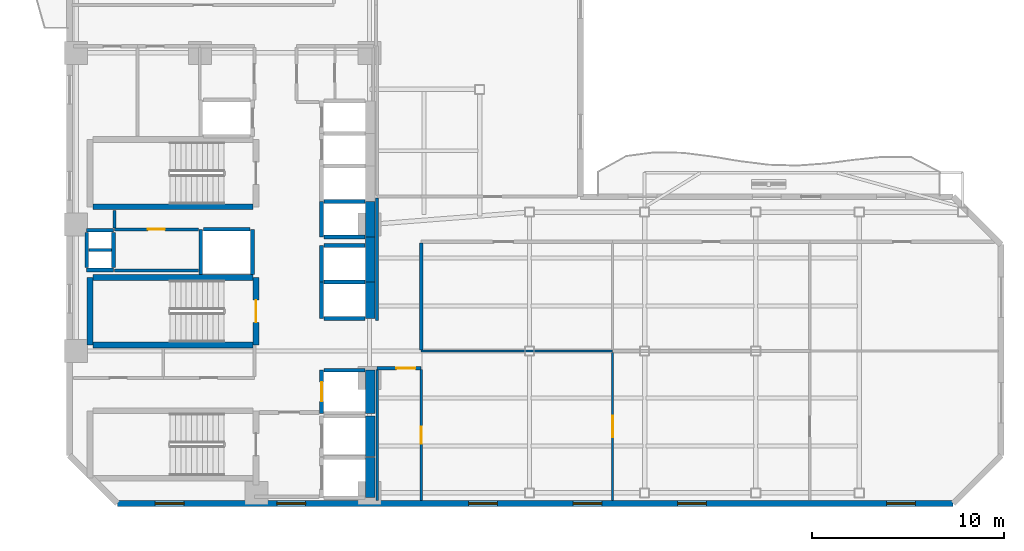
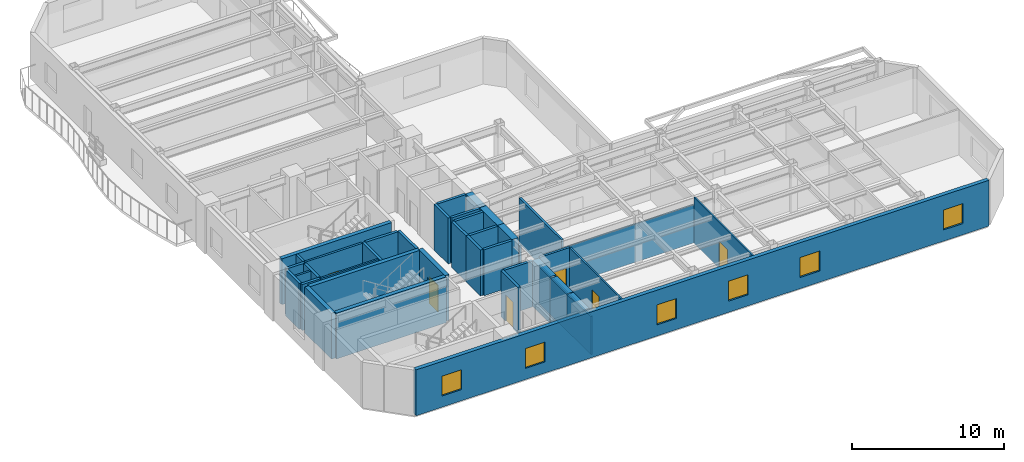
# One storey, part 3 of 9: 40 walls, 6 doors, 6 windows, 12 openings.
"""IFC4 building model written with IfcOpenShell, lengths in metres."""

from ifc_helpers import new_model, si_unit, direction, frame, frame_2d, origin, place, context, subcontext, project, spatial, rectangle, extrude, material, layer, layer_set, type_object, element, fill, save


model = new_model("IFC4")

# Units and contexts
model_context = context("Model", 3, precision=1e-05, world=origin(), true_north=direction((0.0, 1.0)))
body_context = subcontext(model_context, "Body", "Model", "MODEL_VIEW")
ifc_project = project(units=[si_unit("LENGTHUNIT", "METRE"), si_unit("AREAUNIT", "SQUARE_METRE"), si_unit("VOLUMEUNIT", "CUBIC_METRE"), si_unit("PLANEANGLEUNIT", "RADIAN"), si_unit("MASSUNIT", "GRAM", prefix="KILO")], contexts=[model_context])

# Site, building, storey
site_placement = place(None, origin())
site = spatial("IfcSite", under=ifc_project, at=site_placement, CompositionType="ELEMENT")
building_placement = place(site_placement, origin())
building = spatial("IfcBuilding", under=site, at=building_placement, Name="Mawjaban Terraces University", CompositionType="ELEMENT")
storey_placement = place(building_placement, frame((0.0, 0.0, 107.300048828125)))
storey = spatial("IfcBuildingStorey", under=building, at=storey_placement, Name="L25", CompositionType="ELEMENT", Elevation=107.300048828125)

# Walls
ifc_material_1 = material(Name="Concrete C60/75", Category="concrete")
ifc_layer_1 = layer(ifc_material_1, 0.5)
ifc_layer_set_1 = layer_set([ifc_layer_1], Name="Concrete C60/75")
wall_type_1 = type_object("IfcWallType", Name="CoreShearWall_500", PredefinedType="SHEAR", material=ifc_layer_set_1)
wall_1_placement = place(storey_placement, frame((37.699951171875, 0.300048828125, 0.0), z_axis=(0.0, 0.0, 1.0), x_axis=(0.0, 1.0, 0.0)))
element("IfcWall", 1, at=wall_1_placement, inside=storey, type_object=wall_type_1, Name="L25 Lift FL-1 Hoistway Wall East", PredefinedType="SHEAR", context=body_context, shape_type="SweptSolid", body=[
    extrude(rectangle(XDim=2.099853515625, YDim=0.5, at=frame_2d((1.0498046875, 0.0))), origin(), (0.0, 0.0, 1.0), 3.68994140625),
])
wall_2_placement = place(storey_placement, frame((37.699951171875, 2.449951171875, 0.0), z_axis=(0.0, 0.0, 1.0), x_axis=(0.0, 1.0, 0.0)))
element("IfcWall", 2, at=wall_2_placement, inside=storey, type_object=wall_type_1, Name="L25 Lift FL-2 Hoistway Wall East", PredefinedType="SHEAR", context=body_context, shape_type="SweptSolid", body=[
    extrude(rectangle(XDim=2.10009765625, YDim=0.5, at=frame_2d((1.050048828125, 0.0))), origin(), (0.0, 0.0, 1.0), 3.68994140625),
])
wall_3_placement = place(storey_placement, frame((37.699951171875, 4.699951171875, 0.0), z_axis=(0.0, 0.0, 1.0), x_axis=(0.0, 1.0, 0.0)))
element("IfcWall", 3, at=wall_3_placement, inside=storey, type_object=wall_type_1, Name="L25 Lift SL-1 Hoistway Wall East", PredefinedType="SHEAR", context=body_context, shape_type="SweptSolid", body=[
    extrude(rectangle(XDim=2.25, YDim=0.5, at=frame_2d((1.125, 0.0))), origin(), (0.0, 0.0, 1.0), 3.68994140625),
])
wall_4_placement = place(storey_placement, frame((37.699951171875, 9.64990234375, 0.0), z_axis=(0.0, 0.0, 1.0), x_axis=(0.0, 1.0, 0.0)))
element("IfcWall", 4, at=wall_4_placement, inside=storey, type_object=wall_type_1, Name="L25 Lift PL-H1 Hoistway Wall East", PredefinedType="SHEAR", context=body_context, shape_type="SweptSolid", body=[
    extrude(rectangle(XDim=1.900146484375, YDim=0.5, at=frame_2d((0.9501953125, 0.0))), origin(), (0.0, 0.0, 1.0), 3.68994140625),
])
wall_5_placement = place(storey_placement, frame((37.699951171875, 11.550048828125, 0.0), z_axis=(0.0, 0.0, 1.0), x_axis=(0.0, 1.0, 0.0)))
element("IfcWall", 5, at=wall_5_placement, inside=storey, type_object=wall_type_1, Name="L25 Lift PL-H2 Hoistway Wall East", PredefinedType="SHEAR", context=body_context, shape_type="SweptSolid", body=[
    extrude(rectangle(XDim=2.349853515625, YDim=0.5, at=frame_2d((1.1748046875, 0.0))), origin(), (0.0, 0.0, 1.0), 3.68994140625),
])
wall_6_placement = place(storey_placement, frame((37.699951171875, 13.89990234375, 0.0), z_axis=(0.0, 0.0, 1.0), x_axis=(0.0, 1.0, 0.0)))
element("IfcWall", 6, at=wall_6_placement, inside=storey, type_object=wall_type_1, Name="L25 Lift OL-1 Hoistway Wall East", PredefinedType="SHEAR", context=body_context, shape_type="SweptSolid", body=[
    extrude(rectangle(XDim=1.85009765625, YDim=0.5, at=frame_2d((0.925048828125, 0.0))), origin(), (0.0, 0.0, 1.0), 3.68994140625),
])

# Wall, opening, door
ifc_material_2 = material(Name="Fire-rated gypsum board on steel stud", Category="steel")
ifc_layer_2 = layer(ifc_material_2, 0.159912109375)
ifc_layer_set_2 = layer_set([ifc_layer_2], Name="Fire-rated gypsum board on steel stud")
wall_type_2 = type_object("IfcWallType", Name="CorridorPartition_160", PredefinedType="PARTITIONING", material=ifc_layer_set_2)
wall_7_placement = place(storey_placement, frame((24.35009765625, 14.300048828125, 0.0), z_axis=(0.0, 0.0, 1.0), x_axis=(1.0, 0.0, 0.0)))
wall_7 = element("IfcWall", 7, at=wall_7_placement, inside=storey, type_object=wall_type_2, Name="L25 Core Riser Access Passage Partition 2", PredefinedType="PARTITIONING", context=body_context, shape_type="SweptSolid", body=[
    extrude(rectangle(XDim=4.369873046875, YDim=0.159912109375, at=frame_2d((2.18505859375, 0.0))), origin(), (0.0, 0.0, 1.0), 3.68994140625),
])
opening_1_placement = place(wall_7_placement, frame((1.7451171875, 0.0, 0.0)))
opening_1 = element("IfcOpeningElement", 8, at=opening_1_placement, cuts=wall_7, Name="Opening ID-088", PredefinedType="OPENING", context=body_context, shape_type="SweptSolid", body=[
    extrude(rectangle(XDim=0.8798828125, YDim=2.10009765625, at=frame_2d((0.43994140625, 1.050048828125))), frame((0.0, 0.08984375, 0.0), z_axis=(0.0, -1.0, 0.0), x_axis=(1.0, 0.0, 0.0)), (0.0, 0.0, 1.0), 0.179931640625),
])
ifc_material_3 = material(Name="Powder-coated steel frame and solid acoustic timber leaf", Category="steel")
door_type_1 = type_object("IfcDoorType", Name="ToiletDoor_880x2100", OperationType="NOTDEFINED", PredefinedType="DOOR", material=ifc_material_3)
door_1_placement = place(opening_1_placement, origin())
door_1 = element("IfcDoor", 9, at=door_1_placement, inside=storey, type_object=door_type_1, Name="L25 Ablution Room Door", OperationType="SINGLE_SWING_RIGHT", OverallHeight=2.10009765625, OverallWidth=0.8798828125, PredefinedType="DOOR", context=body_context, shape_type="SweptSolid", body=[
    extrude(rectangle(XDim=0.8798828125, YDim=2.10009765625, at=frame_2d((0.43994140625, 1.050048828125))), frame((0.0, 0.02490234375, 0.0), z_axis=(0.0, -1.0, 0.0), x_axis=(1.0, 0.0, 0.0)), (0.0, 0.0, 1.0), 0.050048828125),
])
fill(opening_1, door_1)

wall_8_placement = place(storey_placement, frame((38.050048828125, 7.050048828125, 0.0), z_axis=(0.0, 0.0, 1.0), x_axis=(1.0, 0.0, 0.0)))
wall_8 = element("IfcWall", 10, at=wall_8_placement, inside=storey, type_object=wall_type_2, Name="L25 Inner Gallery Link Corridor Partition 16", PredefinedType="PARTITIONING", context=body_context, shape_type="SweptSolid", body=[
    extrude(rectangle(XDim=2.300048828125, YDim=0.159912109375, at=frame_2d((1.14990234375, 0.0))), origin(), (0.0, 0.0, 1.0), 3.68994140625),
])
opening_2_placement = place(wall_8_placement, frame((1.0, 0.0, 0.0)))
opening_2 = element("IfcOpeningElement", 11, at=opening_2_placement, cuts=wall_8, Name="Opening ID-100", PredefinedType="OPENING", context=body_context, shape_type="SweptSolid", body=[
    extrude(rectangle(XDim=1.0, YDim=2.10009765625, at=frame_2d((0.5, 1.050048828125))), frame((0.0, 0.08984375, 0.0), z_axis=(0.0, -1.0, 0.0), x_axis=(1.0, 0.0, 0.0)), (0.0, 0.0, 1.0), 0.179931640625),
])
door_type_2 = type_object("IfcDoorType", Name="ClassroomDoor_1000x2100", OperationType="NOTDEFINED", PredefinedType="DOOR", material=ifc_material_3)
door_2_placement = place(opening_2_placement, origin())
door_2 = element("IfcDoor", 12, at=door_2_placement, inside=storey, type_object=door_type_2, Name="L25 Classroom 1 Door", OperationType="SINGLE_SWING_LEFT", OverallHeight=2.10009765625, OverallWidth=1.0, PredefinedType="DOOR", context=body_context, shape_type="SweptSolid", body=[
    extrude(rectangle(XDim=1.0, YDim=2.10009765625, at=frame_2d((0.5, 1.050048828125))), frame((0.0, 0.02490234375, 0.0), z_axis=(0.0, -1.0, 0.0), x_axis=(1.0, 0.0, 0.0)), (0.0, 0.0, 1.0), 0.050048828125),
])
fill(opening_2, door_2)

# Walls
wall_9_placement = place(storey_placement, frame((24.35009765625, 15.2900390625, 0.0), z_axis=(0.0, 0.0, 1.0), x_axis=(0.0, -1.0, 0.0)))
element("IfcWall", 13, at=wall_9_placement, inside=storey, type_object=wall_type_2, Name="L25 Core Riser Access Passage Partition 25", PredefinedType="PARTITIONING", context=body_context, shape_type="SweptSolid", body=[
    extrude(rectangle(XDim=0.9150390625, YDim=0.159912109375, at=frame_2d((0.45751953125, 0.0))), origin(), (0.0, 0.0, 1.0), 3.68994140625),
])
wall_10_placement = place(storey_placement, frame((38.050048828125, 15.925048828125, 0.0), z_axis=(0.0, 0.0, 1.0), x_axis=(0.0, -1.0, 0.0)))
element("IfcWall", 14, at=wall_10_placement, inside=storey, type_object=wall_type_2, Name="L25 Inner Gallery Link Corridor Partition 40", PredefinedType="PARTITIONING", context=body_context, shape_type="SweptSolid", body=[
    extrude(rectangle(XDim=6.375, YDim=0.159912109375, at=frame_2d((3.1875, 0.0))), origin(), (0.0, 0.0, 1.0), 3.072998046875),
])
wall_11_placement = place(storey_placement, frame((40.35009765625, 8.0, 0.0), z_axis=(0.0, 0.0, 1.0), x_axis=(0.0, 1.0, 0.0)))
element("IfcWall", 15, at=wall_11_placement, inside=storey, type_object=wall_type_2, Name="L25 Inner Gallery Link Corridor Partition 43", PredefinedType="PARTITIONING", context=body_context, shape_type="SweptSolid", body=[
    extrude(rectangle(XDim=5.574951171875, YDim=0.159912109375, at=frame_2d((2.78759765625, 0.0))), origin(), (0.0, 0.0, 1.0), 3.68994140625),
])

# Wall, openings, windows
ifc_material_4 = material(Name="Insulated terracotta rainscreen on concrete backup C40/50", Category="masonry")
ifc_layer_3 = layer(ifc_material_4, 0.300048828125)
ifc_layer_set_3 = layer_set([ifc_layer_3], Name="Insulated terracotta rainscreen on concrete backup C40/50")
wall_type_3 = type_object("IfcWallType", Name="ExtTerracottaWall_300", PredefinedType="SOLIDWALL", material=ifc_layer_set_3)
wall_12_placement = place(storey_placement, frame((24.5, 0.0, 0.0), z_axis=(0.0, 0.0, 1.0), x_axis=(1.0, 0.0, 0.0)))
wall_12 = element("IfcWall", 16, at=wall_12_placement, inside=storey, type_object=wall_type_3, Name="L25 Exterior Terracotta Wall 1", PredefinedType="SOLIDWALL", context=body_context, shape_type="SweptSolid", body=[
    extrude(rectangle(XDim=43.60009765625, YDim=0.300048828125, at=frame_2d((21.800048828125, 0.0))), origin(), (0.0, 0.0, 1.0), 3.68994140625),
])
opening_3_placement = place(wall_12_placement, frame((1.97509765625, 0.0, 0.89990234375)))
opening_3 = element("IfcOpeningElement", 17, at=opening_3_placement, cuts=wall_12, Name="Opening W-02", PredefinedType="OPENING", context=body_context, shape_type="SweptSolid", body=[
    extrude(rectangle(XDim=1.5, YDim=1.60009765625, at=frame_2d((0.75, 0.800048828125))), frame((0.0, 0.159912109375, 0.0), z_axis=(0.0, -1.0, 0.0), x_axis=(1.0, 0.0, 0.0)), (0.0, 0.0, 1.0), 0.320068359375),
])
opening_4_placement = place(wall_12_placement, frame((8.324951171875, 0.0, 0.89990234375)))
opening_4 = element("IfcOpeningElement", 18, at=opening_4_placement, cuts=wall_12, Name="Opening W-02", PredefinedType="OPENING", context=body_context, shape_type="SweptSolid", body=[
    extrude(rectangle(XDim=1.5, YDim=1.60009765625, at=frame_2d((0.75, 0.800048828125))), frame((0.0, 0.159912109375, 0.0), z_axis=(0.0, -1.0, 0.0), x_axis=(1.0, 0.0, 0.0)), (0.0, 0.0, 1.0), 0.320068359375),
])
opening_5_placement = place(wall_12_placement, frame((18.324951171875, 0.0, 0.89990234375)))
opening_5 = element("IfcOpeningElement", 19, at=opening_5_placement, cuts=wall_12, Name="Opening W-02", PredefinedType="OPENING", context=body_context, shape_type="SweptSolid", body=[
    extrude(rectangle(XDim=1.5, YDim=1.60009765625, at=frame_2d((0.75, 0.800048828125))), frame((0.0, 0.159912109375, 0.0), z_axis=(0.0, -1.0, 0.0), x_axis=(1.0, 0.0, 0.0)), (0.0, 0.0, 1.0), 0.320068359375),
])
opening_6_placement = place(wall_12_placement, frame((23.77490234375, 0.0, 0.89990234375)))
opening_6 = element("IfcOpeningElement", 20, at=opening_6_placement, cuts=wall_12, Name="Opening W-02", PredefinedType="OPENING", context=body_context, shape_type="SweptSolid", body=[
    extrude(rectangle(XDim=1.5, YDim=1.60009765625, at=frame_2d((0.75, 0.800048828125))), frame((0.0, 0.159912109375, 0.0), z_axis=(0.0, -1.0, 0.0), x_axis=(1.0, 0.0, 0.0)), (0.0, 0.0, 1.0), 0.320068359375),
])
opening_7_placement = place(wall_12_placement, frame((29.22509765625, 0.0, 0.89990234375)))
opening_7 = element("IfcOpeningElement", 21, at=opening_7_placement, cuts=wall_12, Name="Opening W-02", PredefinedType="OPENING", context=body_context, shape_type="SweptSolid", body=[
    extrude(rectangle(XDim=1.5, YDim=1.60009765625, at=frame_2d((0.75, 0.800048828125))), frame((0.0, 0.159912109375, 0.0), z_axis=(0.0, -1.0, 0.0), x_axis=(1.0, 0.0, 0.0)), (0.0, 0.0, 1.0), 0.320068359375),
])
opening_8_placement = place(wall_12_placement, frame((40.125, 0.0, 0.89990234375)))
opening_8 = element("IfcOpeningElement", 22, at=opening_8_placement, cuts=wall_12, Name="Opening W-02", PredefinedType="OPENING", context=body_context, shape_type="SweptSolid", body=[
    extrude(rectangle(XDim=1.5, YDim=1.60009765625, at=frame_2d((0.75, 0.800048828125))), frame((0.0, 0.159912109375, 0.0), z_axis=(0.0, -1.0, 0.0), x_axis=(1.0, 0.0, 0.0)), (0.0, 0.0, 1.0), 0.320068359375),
])
ifc_material_5 = material(Name="Low-E solar-control double glazing in thermally broken aluminium frame", Category="aluminium")
window_type = type_object("IfcWindowType", Name="Win_1500x1600", PartitioningType="SINGLE_PANEL", PredefinedType="WINDOW", material=ifc_material_5)
window_1_placement = place(opening_3_placement, origin())
window_1 = element("IfcWindow", 23, at=window_1_placement, inside=storey, type_object=window_type, Name="L25 Facade Window 1.1", OverallHeight=1.60009765625, OverallWidth=1.5, PartitioningType="SINGLE_PANEL", PredefinedType="WINDOW", context=body_context, shape_type="SweptSolid", body=[
    extrude(rectangle(XDim=1.5, YDim=1.60009765625, at=frame_2d((0.75, 0.800048828125))), frame((0.0, 0.030029296875, 0.0), z_axis=(0.0, -1.0, 0.0), x_axis=(1.0, 0.0, 0.0)), (0.0, 0.0, 1.0), 0.06005859375),
])
fill(opening_3, window_1)
window_2_placement = place(opening_4_placement, origin())
window_2 = element("IfcWindow", 24, at=window_2_placement, inside=storey, type_object=window_type, Name="L25 Facade Window 1.2", OverallHeight=1.60009765625, OverallWidth=1.5, PartitioningType="SINGLE_PANEL", PredefinedType="WINDOW", context=body_context, shape_type="SweptSolid", body=[
    extrude(rectangle(XDim=1.5, YDim=1.60009765625, at=frame_2d((0.75, 0.800048828125))), frame((0.0, 0.030029296875, 0.0), z_axis=(0.0, -1.0, 0.0), x_axis=(1.0, 0.0, 0.0)), (0.0, 0.0, 1.0), 0.06005859375),
])
fill(opening_4, window_2)
window_3_placement = place(opening_5_placement, origin())
window_3 = element("IfcWindow", 25, at=window_3_placement, inside=storey, type_object=window_type, Name="L25 Facade Window 1.4", OverallHeight=1.60009765625, OverallWidth=1.5, PartitioningType="SINGLE_PANEL", PredefinedType="WINDOW", context=body_context, shape_type="SweptSolid", body=[
    extrude(rectangle(XDim=1.5, YDim=1.60009765625, at=frame_2d((0.75, 0.800048828125))), frame((0.0, 0.030029296875, 0.0), z_axis=(0.0, -1.0, 0.0), x_axis=(1.0, 0.0, 0.0)), (0.0, 0.0, 1.0), 0.06005859375),
])
fill(opening_5, window_3)
window_4_placement = place(opening_6_placement, origin())
window_4 = element("IfcWindow", 26, at=window_4_placement, inside=storey, type_object=window_type, Name="L25 Facade Window 1.5", OverallHeight=1.60009765625, OverallWidth=1.5, PartitioningType="SINGLE_PANEL", PredefinedType="WINDOW", context=body_context, shape_type="SweptSolid", body=[
    extrude(rectangle(XDim=1.5, YDim=1.60009765625, at=frame_2d((0.75, 0.800048828125))), frame((0.0, 0.030029296875, 0.0), z_axis=(0.0, -1.0, 0.0), x_axis=(1.0, 0.0, 0.0)), (0.0, 0.0, 1.0), 0.06005859375),
])
fill(opening_6, window_4)
window_5_placement = place(opening_7_placement, origin())
window_5 = element("IfcWindow", 27, at=window_5_placement, inside=storey, type_object=window_type, Name="L25 Facade Window 1.6", OverallHeight=1.60009765625, OverallWidth=1.5, PartitioningType="SINGLE_PANEL", PredefinedType="WINDOW", context=body_context, shape_type="SweptSolid", body=[
    extrude(rectangle(XDim=1.5, YDim=1.60009765625, at=frame_2d((0.75, 0.800048828125))), frame((0.0, 0.030029296875, 0.0), z_axis=(0.0, -1.0, 0.0), x_axis=(1.0, 0.0, 0.0)), (0.0, 0.0, 1.0), 0.06005859375),
])
fill(opening_7, window_5)
window_6_placement = place(opening_8_placement, origin())
window_6 = element("IfcWindow", 28, at=window_6_placement, inside=storey, type_object=window_type, Name="L25 Facade Window 1.8", OverallHeight=1.60009765625, OverallWidth=1.5, PartitioningType="SINGLE_PANEL", PredefinedType="WINDOW", context=body_context, shape_type="SweptSolid", body=[
    extrude(rectangle(XDim=1.5, YDim=1.60009765625, at=frame_2d((0.75, 0.800048828125))), frame((0.0, 0.030029296875, 0.0), z_axis=(0.0, -1.0, 0.0), x_axis=(1.0, 0.0, 0.0)), (0.0, 0.0, 1.0), 0.06005859375),
])
fill(opening_8, window_6)

# Wall, opening, door
ifc_material_6 = material(Name="Concrete C40/50", Category="concrete")
ifc_layer_4 = layer(ifc_material_6, 0.199951171875)
ifc_layer_set_4 = layer_set([ifc_layer_4], Name="Concrete C40/50")
wall_type_4 = type_object("IfcWallType", Name="FireLobbyWall_200", PredefinedType="SOLIDWALL", material=ifc_layer_set_4)
wall_13_placement = place(storey_placement, frame((35.14990234375, 6.949951171875, 0.0), z_axis=(0.0, 0.0, 1.0), x_axis=(0.0, -1.0, 0.0)))
wall_13 = element("IfcWall", 29, at=wall_13_placement, inside=storey, type_object=wall_type_4, Name="L25 Lift SL-1 Hoistway Wall West", PredefinedType="SOLIDWALL", context=body_context, shape_type="SweptSolid", body=[
    extrude(rectangle(XDim=2.25, YDim=0.199951171875, at=frame_2d((1.125, 0.0))), origin(), (0.0, 0.0, 1.0), 3.68994140625),
])
opening_9_placement = place(wall_13_placement, frame((0.625, 0.0, 0.0)))
opening_9 = element("IfcOpeningElement", 30, at=opening_9_placement, cuts=wall_13, Name="Opening LD-SL-1", PredefinedType="OPENING", context=body_context, shape_type="SweptSolid", body=[
    extrude(rectangle(XDim=1.0, YDim=2.10009765625, at=frame_2d((0.5, 1.050048828125))), frame((0.0, 0.10986328125, 0.0), z_axis=(0.0, -1.0, 0.0), x_axis=(1.0, 0.0, 0.0)), (0.0, 0.0, 1.0), 0.219970703125),
])
ifc_material_7 = material(Name="Powder-coated steel frame and fire-rated steel-faced leaf", Category="steel")
door_type_3 = type_object("IfcDoorType", Name="LiftLandingSliding_1000x2100", OperationType="NOTDEFINED", PredefinedType="DOOR", material=ifc_material_7)
door_3_placement = place(opening_9_placement, origin())
door_3 = element("IfcDoor", 31, at=door_3_placement, inside=storey, type_object=door_type_3, Name="L25 Lift SL-1 Sliding Landing Door", OperationType="DOUBLE_DOOR_SLIDING", OverallHeight=2.10009765625, OverallWidth=1.0, PredefinedType="DOOR", context=body_context, shape_type="SweptSolid", body=[
    extrude(rectangle(XDim=1.0, YDim=2.10009765625, at=frame_2d((0.5, 1.050048828125))), frame((0.0, 0.02490234375, 0.0), z_axis=(0.0, -1.0, 0.0), x_axis=(1.0, 0.0, 0.0)), (0.0, 0.0, 1.0), 0.050048828125),
])
fill(opening_9, door_3)

# Walls
wall_14_placement = place(storey_placement, frame((37.419921875, 6.949951171875, 0.0), z_axis=(0.0, 0.0, 1.0), x_axis=(-1.0, 0.0, 0.0)))
element("IfcWall", 32, at=wall_14_placement, inside=storey, type_object=wall_type_4, Name="L25 Lift SL-1 Hoistway Wall North", PredefinedType="SOLIDWALL", context=body_context, shape_type="SweptSolid", body=[
    extrude(rectangle(XDim=2.139892578125, YDim=0.199951171875, at=frame_2d((1.06982421875, 0.0))), origin(), (0.0, 0.0, 1.0), 3.68994140625),
])
wall_15_placement = place(storey_placement, frame((35.14990234375, 11.550048828125, 0.0), z_axis=(0.0, 0.0, 1.0), x_axis=(0.0, -1.0, 0.0)))
element("IfcWall", 33, at=wall_15_placement, inside=storey, type_object=wall_type_4, Name="L25 Lift PL-H1 Hoistway Wall West", PredefinedType="SOLIDWALL", context=body_context, shape_type="SweptSolid", body=[
    extrude(rectangle(XDim=1.900146484375, YDim=0.199951171875, at=frame_2d((0.9501953125, 0.0))), origin(), (0.0, 0.0, 1.0), 3.68994140625),
])
for number, where, z_axis, x_axis, name in (
    (34, (35.280029296875, 9.64990234375, 0.0), (0.0, 0.0, 1.0), (1.0, 0.0, 0.0), "L25 Lift PL-H1 Hoistway Wall South"),
    (35, (37.419921875, 11.550048828125, 0.0), (0.0, 0.0, 1.0), (-1.0, 0.0, 0.0), "L25 Lift PL-H1 Hoistway Wall North"),
):
    element("IfcWall", number, at=place(storey_placement, frame(where, z_axis=z_axis, x_axis=x_axis)), inside=storey, type_object=wall_type_4, Name=name, PredefinedType="SOLIDWALL", context=body_context, shape_type="SweptSolid", body=[
        extrude(rectangle(XDim=2.139892578125, YDim=0.199951171875, at=frame_2d((1.06982421875, 0.0))), origin(), (0.0, 0.0, 1.0), 3.68994140625),
    ])
wall_16_placement = place(storey_placement, frame((35.14990234375, 13.449951171875, 0.0), z_axis=(0.0, 0.0, 1.0), x_axis=(0.0, -1.0, 0.0)))
element("IfcWall", 36, at=wall_16_placement, inside=storey, type_object=wall_type_4, Name="L25 Lift PL-H2 Hoistway Wall West", PredefinedType="SOLIDWALL", context=body_context, shape_type="SweptSolid", body=[
    extrude(rectangle(XDim=1.89990234375, YDim=0.199951171875, at=frame_2d((0.949951171875, 0.0))), origin(), (0.0, 0.0, 1.0), 3.68994140625),
])
wall_17_placement = place(storey_placement, frame((37.419921875, 13.449951171875, 0.0), z_axis=(0.0, 0.0, 1.0), x_axis=(-1.0, 0.0, 0.0)))
element("IfcWall", 37, at=wall_17_placement, inside=storey, type_object=wall_type_4, Name="L25 Lift PL-H2 Hoistway Wall North", PredefinedType="SOLIDWALL", context=body_context, shape_type="SweptSolid", body=[
    extrude(rectangle(XDim=2.139892578125, YDim=0.199951171875, at=frame_2d((1.06982421875, 0.0))), origin(), (0.0, 0.0, 1.0), 3.68994140625),
])
for number, where, z_axis, x_axis, name in (
    (38, (28.85009765625, 14.300048828125, 0.0), (0.0, 0.0, 1.0), (0.0, -1.0, 0.0), "L25 Lift PL-H3 Hoistway Wall West"),
    (39, (31.550048828125, 11.929931640625, 0.0), (0.0, 0.0, 1.0), (0.0, 1.0, 0.0), "L25 Lift PL-H3 Hoistway Wall East"),
):
    element("IfcWall", number, at=place(storey_placement, frame(where, z_axis=z_axis, x_axis=x_axis)), inside=storey, type_object=wall_type_4, Name=name, PredefinedType="SOLIDWALL", context=body_context, shape_type="SweptSolid", body=[
        extrude(rectangle(XDim=2.3701171875, YDim=0.199951171875, at=frame_2d((1.18505859375, 0.0))), origin(), (0.0, 0.0, 1.0), 3.68994140625),
    ])
wall_18_placement = place(storey_placement, frame((31.419921875, 14.300048828125, 0.0), z_axis=(0.0, 0.0, 1.0), x_axis=(-1.0, 0.0, 0.0)))
element("IfcWall", 40, at=wall_18_placement, inside=storey, type_object=wall_type_4, Name="L25 Lift PL-H3 Hoistway Wall North", PredefinedType="SOLIDWALL", context=body_context, shape_type="SweptSolid", body=[
    extrude(rectangle(XDim=2.43994140625, YDim=0.199951171875, at=frame_2d((1.219970703125, 0.0))), origin(), (0.0, 0.0, 1.0), 3.68994140625),
])
wall_19_placement = place(storey_placement, frame((35.14990234375, 15.75, 0.0), z_axis=(0.0, 0.0, 1.0), x_axis=(0.0, -1.0, 0.0)))
element("IfcWall", 41, at=wall_19_placement, inside=storey, type_object=wall_type_4, Name="L25 Lift OL-1 Hoistway Wall West", PredefinedType="SOLIDWALL", context=body_context, shape_type="SweptSolid", body=[
    extrude(rectangle(XDim=1.85009765625, YDim=0.199951171875, at=frame_2d((0.925048828125, 0.0))), origin(), (0.0, 0.0, 1.0), 3.68994140625),
])
for number, where, z_axis, x_axis, name in (
    (42, (35.280029296875, 13.89990234375, 0.0), (0.0, 0.0, 1.0), (1.0, 0.0, 0.0), "L25 Lift OL-1 Hoistway Wall South"),
    (43, (37.419921875, 15.75, 0.0), (0.0, 0.0, 1.0), (-1.0, 0.0, 0.0), "L25 Lift OL-1 Hoistway Wall North"),
):
    element("IfcWall", number, at=place(storey_placement, frame(where, z_axis=z_axis, x_axis=x_axis)), inside=storey, type_object=wall_type_4, Name=name, PredefinedType="SOLIDWALL", context=body_context, shape_type="SweptSolid", body=[
        extrude(rectangle(XDim=2.139892578125, YDim=0.199951171875, at=frame_2d((1.06982421875, 0.0))), origin(), (0.0, 0.0, 1.0), 3.68994140625),
    ])
for number, where, z_axis, x_axis, name in (
    (44, (22.89990234375, 14.25, 0.0), (0.0, 0.0, 1.0), (1.0, 0.0, 0.0), "L25 MEP Riser Shaft Wall N"),
    (45, (22.89990234375, 12.179931640625, 0.0), (0.0, 0.0, 1.0), (1.0, 0.0, 0.0), "L25 MEP Riser Shaft Wall S"),
):
    element("IfcWall", number, at=place(storey_placement, frame(where, z_axis=z_axis, x_axis=x_axis)), inside=storey, type_object=wall_type_4, Name=name, PredefinedType="SOLIDWALL", context=body_context, shape_type="SweptSolid", body=[
        extrude(rectangle(XDim=1.400146484375, YDim=0.199951171875, at=frame_2d((0.7001953125, 0.0))), origin(), (0.0, 0.0, 1.0), 3.68994140625),
    ])
for number, where, z_axis, x_axis, name in (
    (46, (24.300048828125, 12.300048828125, 0.0), (0.0, 0.0, 1.0), (0.0, 1.0, 0.0), "L25 MEP Riser Shaft Wall E"),
    (47, (22.89990234375, 12.300048828125, 0.0), (0.0, 0.0, 1.0), (0.0, 1.0, 0.0), "L25 MEP Riser Shaft Wall W"),
):
    element("IfcWall", number, at=place(storey_placement, frame(where, z_axis=z_axis, x_axis=x_axis)), inside=storey, type_object=wall_type_4, Name=name, PredefinedType="SOLIDWALL", context=body_context, shape_type="SweptSolid", body=[
        extrude(rectangle(XDim=1.829833984375, YDim=0.199951171875, at=frame_2d((0.9150390625, 0.0))), origin(), (0.0, 0.0, 1.0), 3.68994140625),
    ])
ifc_material_8 = material(Name="Moisture-resistant gypsum board on steel stud", Category="steel")
ifc_layer_5 = layer(ifc_material_8, 0.14501953125)
ifc_layer_set_5 = layer_set([ifc_layer_5], Name="Moisture-resistant gypsum board on steel stud")
wall_type_5 = type_object("IfcWallType", Name="LabPartition_145", PredefinedType="PARTITIONING", material=ifc_layer_set_5)
wall_20_placement = place(storey_placement, frame((23.010009765625, 13.22509765625, 0.0), z_axis=(0.0, 0.0, 1.0), x_axis=(1.0, 0.0, 0.0)))
element("IfcWall", 48, at=wall_20_placement, inside=storey, type_object=wall_type_5, Name="L25 MEP Riser Shaft Wall M", PredefinedType="PARTITIONING", context=body_context, shape_type="SweptSolid", body=[
    extrude(rectangle(XDim=1.179931640625, YDim=0.14501953125, at=frame_2d((0.58984375, 0.0))), origin(), (0.0, 0.0, 1.0), 3.68994140625),
])
ifc_material_9 = material(Name="Gypsum plasterboard on steel stud", Category="steel")
ifc_layer_6 = layer(ifc_material_9, 0.125)
ifc_layer_set_6 = layer_set([ifc_layer_6], Name="Gypsum plasterboard on steel stud")
wall_type_6 = type_object("IfcWallType", Name="OfficePartition_125", PredefinedType="PARTITIONING", material=ifc_layer_set_6)
wall_21_placement = place(storey_placement, frame((38.050048828125, 6.97509765625, 0.0), z_axis=(0.0, 0.0, 1.0), x_axis=(0.0, -1.0, 0.0)))
element("IfcWall", 49, at=wall_21_placement, inside=storey, type_object=wall_type_6, Name="L25 Classroom 1 Partition 39", PredefinedType="PARTITIONING", context=body_context, shape_type="SweptSolid", body=[
    extrude(rectangle(XDim=6.830078125, YDim=0.125, at=frame_2d((3.4150390625, 0.0))), origin(), (0.0, 0.0, 1.0), 3.072998046875),
])

# Wall, opening, door
wall_22_placement = place(storey_placement, frame((40.35009765625, 0.14501953125, 0.0), z_axis=(0.0, 0.0, 1.0), x_axis=(0.0, 1.0, 0.0)))
wall_22 = element("IfcWall", 50, at=wall_22_placement, inside=storey, type_object=wall_type_6, Name="L25 Classroom 1 Partition 42", PredefinedType="PARTITIONING", context=body_context, shape_type="SweptSolid", body=[
    extrude(rectangle(XDim=6.830078125, YDim=0.125, at=frame_2d((3.4150390625, 0.0))), origin(), (0.0, 0.0, 1.0), 3.68994140625),
])
opening_10_placement = place(wall_22_placement, frame((2.965087890625, 0.0, 0.0)))
opening_10 = element("IfcOpeningElement", 51, at=opening_10_placement, cuts=wall_22, Name="Opening ID-090", PredefinedType="OPENING", context=body_context, shape_type="SweptSolid", body=[
    extrude(rectangle(XDim=0.89990234375, YDim=2.10009765625, at=frame_2d((0.449951171875, 1.050048828125))), frame((0.0, 0.072509765625, 0.0), z_axis=(0.0, -1.0, 0.0), x_axis=(1.0, 0.0, 0.0)), (0.0, 0.0, 1.0), 0.14501953125),
])
door_type_4 = type_object("IfcDoorType", Name="OfficeDoor_900x2100", OperationType="NOTDEFINED", PredefinedType="DOOR", material=ifc_material_3)
door_4_placement = place(opening_10_placement, origin())
door_4 = element("IfcDoor", 52, at=door_4_placement, inside=storey, type_object=door_type_4, Name="L25 Seminar Room 2 Door", OperationType="SINGLE_SWING_RIGHT", OverallHeight=2.10009765625, OverallWidth=0.89990234375, PredefinedType="DOOR", context=body_context, shape_type="SweptSolid", body=[
    extrude(rectangle(XDim=0.89990234375, YDim=2.10009765625, at=frame_2d((0.449951171875, 1.050048828125))), frame((0.0, 0.02490234375, 0.0), z_axis=(0.0, -1.0, 0.0), x_axis=(1.0, 0.0, 0.0)), (0.0, 0.0, 1.0), 0.050048828125),
])
fill(opening_10, door_4)

# Wall
ifc_material_10 = material(Name="Acoustic operable panel partition", Category="masonry")
ifc_layer_7 = layer(ifc_material_10, 0.110107421875)
ifc_layer_set_7 = layer_set([ifc_layer_7], Name="Acoustic operable panel partition")
wall_type_7 = type_object("IfcWallType", Name="OperableSeminarWall_110", PredefinedType="MOVABLE", material=ifc_layer_set_7)
wall_23_placement = place(storey_placement, frame((50.330078125, 7.949951171875, 0.0), z_axis=(0.0, 0.0, 1.0), x_axis=(-1.0, 0.0, 0.0)))
element("IfcWall", 53, at=wall_23_placement, inside=storey, type_object=wall_type_7, Name="L25 Seminar Room 2 Partition 20", PredefinedType="MOVABLE", context=body_context, shape_type="SweptSolid", body=[
    extrude(rectangle(XDim=9.97998046875, YDim=0.110107421875, at=frame_2d((4.989990234375, 0.0))), origin(), (0.0, 0.0, 1.0), 3.072998046875),
])

# Wall, opening, door
wall_24_placement = place(storey_placement, frame((50.330078125, 0.14501953125, 0.0), z_axis=(0.0, 0.0, 1.0), x_axis=(0.0, 1.0, 0.0)))
wall_24 = element("IfcWall", 54, at=wall_24_placement, inside=storey, type_object=wall_type_7, Name="L25 Seminar Room 2 Partition 44", PredefinedType="MOVABLE", context=body_context, shape_type="SweptSolid", body=[
    extrude(rectangle(XDim=7.738037109375, YDim=0.110107421875, at=frame_2d((3.869140625, 0.0))), origin(), (0.0, 0.0, 1.0), 3.68994140625),
])
opening_11_placement = place(wall_24_placement, frame((3.319091796875, 0.0, 0.0)))
opening_11 = element("IfcOpeningElement", 55, at=opening_11_placement, cuts=wall_24, Name="Opening ID-110", PredefinedType="OPENING", context=body_context, shape_type="SweptSolid", body=[
    extrude(rectangle(XDim=1.10009765625, YDim=2.14990234375, at=frame_2d((0.550048828125, 1.074951171875))), frame((0.0, 0.06494140625, 0.0), z_axis=(0.0, -1.0, 0.0), x_axis=(1.0, 0.0, 0.0)), (0.0, 0.0, 1.0), 0.130126953125),
])
door_type_5 = type_object("IfcDoorType", Name="LabDoor_1100x2150", OperationType="NOTDEFINED", PredefinedType="DOOR", material=ifc_material_3)
door_5_placement = place(opening_11_placement, origin())
door_5 = element("IfcDoor", 56, at=door_5_placement, inside=storey, type_object=door_type_5, Name="L25 Teaching Laboratory 4 Door", OperationType="SINGLE_SWING_RIGHT", OverallHeight=2.14990234375, OverallWidth=1.10009765625, PredefinedType="DOOR", context=body_context, shape_type="SweptSolid", body=[
    extrude(rectangle(XDim=1.10009765625, YDim=2.14990234375, at=frame_2d((0.550048828125, 1.074951171875))), frame((0.0, 0.02490234375, 0.0), z_axis=(0.0, -1.0, 0.0), x_axis=(1.0, 0.0, 0.0)), (0.0, 0.0, 1.0), 0.050048828125),
])
fill(opening_11, door_5)

# Walls
ifc_layer_8 = layer(ifc_material_1, 0.300048828125)
ifc_layer_set_8 = layer_set([ifc_layer_8], Name="Concrete C60/75")
wall_type_8 = type_object("IfcWallType", Name="StairShaftWall_300", PredefinedType="SHEAR", material=ifc_layer_set_8)
for number, where, z_axis, x_axis, name in (
    (57, (23.219970703125, 15.469970703125, 0.0), (0.0, 0.0, 1.0), (1.0, 0.0, 0.0), "L25 ST-2 Stair Shaft Wall 3"),
    (58, (31.580078125, 11.780029296875, 0.0), (0.0, 0.0, 1.0), (-1.0, 0.0, 0.0), "L25 ST-3 Stair Shaft Wall 1"),
):
    element("IfcWall", number, at=place(storey_placement, frame(where, z_axis=z_axis, x_axis=x_axis)), inside=storey, type_object=wall_type_8, Name=name, PredefinedType="SHEAR", context=body_context, shape_type="SweptSolid", body=[
        extrude(rectangle(XDim=8.360107421875, YDim=0.300048828125, at=frame_2d((4.18017578125, 0.0))), origin(), (0.0, 0.0, 1.0), 3.68994140625),
    ])
wall_25_placement = place(storey_placement, frame((23.070068359375, 11.780029296875, 0.0), z_axis=(0.0, 0.0, 1.0), x_axis=(0.0, -1.0, 0.0)))
element("IfcWall", 59, at=wall_25_placement, inside=storey, type_object=wall_type_8, Name="L25 ST-3 Stair Shaft Wall 2", PredefinedType="SHEAR", context=body_context, shape_type="SweptSolid", body=[
    extrude(rectangle(XDim=3.510009765625, YDim=0.300048828125, at=frame_2d((1.7548828125, 0.0))), origin(), (0.0, 0.0, 1.0), 3.68994140625),
])
wall_26_placement = place(storey_placement, frame((23.219970703125, 8.27001953125, 0.0), z_axis=(0.0, 0.0, 1.0), x_axis=(1.0, 0.0, 0.0)))
element("IfcWall", 60, at=wall_26_placement, inside=storey, type_object=wall_type_8, Name="L25 ST-3 Stair Shaft Wall 3", PredefinedType="SHEAR", context=body_context, shape_type="SweptSolid", body=[
    extrude(rectangle(XDim=8.360107421875, YDim=0.300048828125, at=frame_2d((4.18017578125, 0.0))), origin(), (0.0, 0.0, 1.0), 3.68994140625),
])

# Wall, opening, door
wall_27_placement = place(storey_placement, frame((31.72998046875, 8.27001953125, 0.0), z_axis=(0.0, 0.0, 1.0), x_axis=(0.0, 1.0, 0.0)))
wall_27 = element("IfcWall", 61, at=wall_27_placement, inside=storey, type_object=wall_type_8, Name="L25 ST-3 Stair Shaft Wall 4", PredefinedType="SHEAR", context=body_context, shape_type="SweptSolid", body=[
    extrude(rectangle(XDim=3.510009765625, YDim=0.300048828125, at=frame_2d((1.7548828125, 0.0))), origin(), (0.0, 0.0, 1.0), 3.68994140625),
])
opening_12_placement = place(wall_27_placement, frame((1.179931640625, 0.0, 0.0)))
opening_12 = element("IfcOpeningElement", 62, at=opening_12_placement, cuts=wall_27, Name="Opening FD-115", PredefinedType="OPENING", context=body_context, shape_type="SweptSolid", body=[
    extrude(rectangle(XDim=1.14990234375, YDim=2.14990234375, at=frame_2d((0.574951171875, 1.074951171875))), frame((0.0, 0.159912109375, 0.0), z_axis=(0.0, -1.0, 0.0), x_axis=(1.0, 0.0, 0.0)), (0.0, 0.0, 1.0), 0.320068359375),
])
door_type_6 = type_object("IfcDoorType", Name="FireStairDoor_1150x2150", OperationType="NOTDEFINED", PredefinedType="DOOR", material=ifc_material_7)
door_6_placement = place(opening_12_placement, origin())
door_6 = element("IfcDoor", 63, at=door_6_placement, inside=storey, type_object=door_type_6, Name="L25 ST-3 Pressurised Stair Fire Door", OperationType="SINGLE_SWING_LEFT", OverallHeight=2.14990234375, OverallWidth=1.14990234375, PredefinedType="DOOR", context=body_context, shape_type="SweptSolid", body=[
    extrude(rectangle(XDim=1.14990234375, YDim=2.14990234375, at=frame_2d((0.574951171875, 1.074951171875))), frame((0.0, 0.02490234375, 0.0), z_axis=(0.0, -1.0, 0.0), x_axis=(1.0, 0.0, 0.0)), (0.0, 0.0, 1.0), 0.050048828125),
])
fill(opening_12, door_6)

# Wall
ifc_material_11 = material(Name="Cement-board wet-room partition", Category="masonry")
ifc_layer_9 = layer(ifc_material_11, 0.135009765625)
ifc_layer_set_9 = layer_set([ifc_layer_9], Name="Cement-board wet-room partition")
wall_type_9 = type_object("IfcWallType", Name="WetRoomPartition_135", PredefinedType="PARTITIONING", material=ifc_layer_set_9)
wall_28_placement = place(storey_placement, frame((24.35009765625, 12.14990234375, 0.0), z_axis=(0.0, 0.0, 1.0), x_axis=(1.0, 0.0, 0.0)))
element("IfcWall", 64, at=wall_28_placement, inside=storey, type_object=wall_type_9, Name="L25 Ablution Room Partition 1", PredefinedType="PARTITIONING", context=body_context, shape_type="SweptSolid", body=[
    extrude(rectangle(XDim=4.369873046875, YDim=0.135009765625, at=frame_2d((2.18505859375, 0.0))), origin(), (0.0, 0.0, 1.0), 3.68994140625),
])

save(model, "model.ifc")
